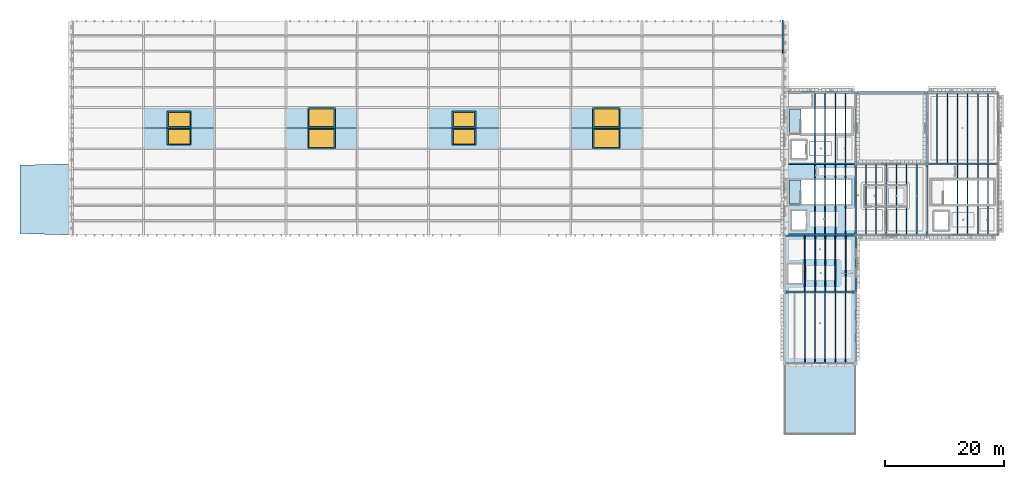
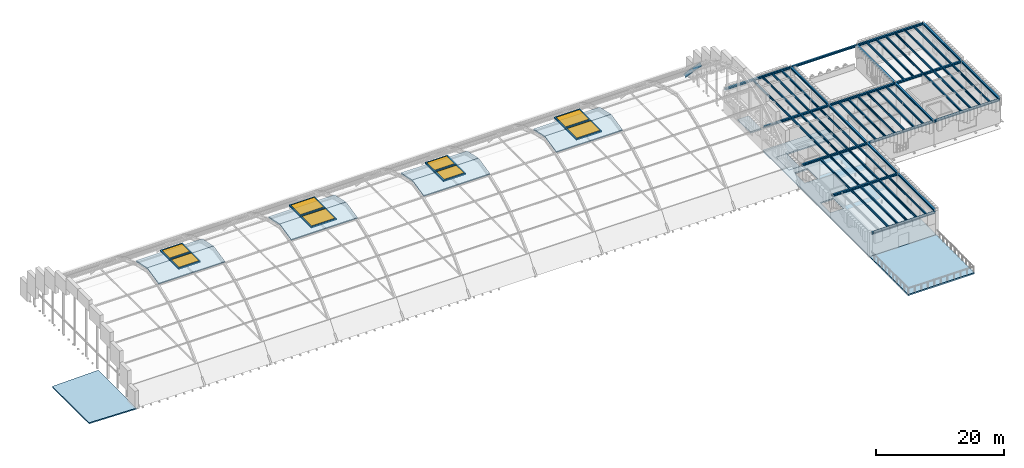
# One storey, part 8 of 35: 55 beams, 21 slabs, 8 windows, 8 openings.
"""IFC4 building model written with IfcOpenShell, lengths in metres."""

from ifc_helpers import new_model, si_unit, direction, frame, origin, origin_2d, place, context, subcontext, project, spatial, polyline, rectangle, i_section, outline, extrude, material, layer, layer_set, material_profile, profile_set, type_object, element, fill, save


model = new_model("IFC4")

# Units and contexts
model_context = context("Model", 3, precision=1e-05, world=origin(), true_north=direction((0.0, 1.0)))
body_context = subcontext(model_context, "Body", "Model", "MODEL_VIEW")
ifc_project = project(units=[si_unit("LENGTHUNIT", "METRE"), si_unit("AREAUNIT", "SQUARE_METRE"), si_unit("VOLUMEUNIT", "CUBIC_METRE"), si_unit("PLANEANGLEUNIT", "RADIAN"), si_unit("MASSUNIT", "GRAM", prefix="KILO")], contexts=[model_context])

# Site, building, storey
site_placement = place(None, origin())
site = spatial("IfcSite", under=ifc_project, at=site_placement, CompositionType="ELEMENT")
building_placement = place(site_placement, origin())
building = spatial("IfcBuilding", under=site, at=building_placement, Name="Zlatogorsky Bluff Art Gallery", CompositionType="ELEMENT")
storey_placement = place(building_placement, frame((0.0, 0.0, 23.39990234375)))
storey = spatial("IfcBuildingStorey", under=building, at=storey_placement, Name="L04", CompositionType="ELEMENT", Elevation=23.39990234375)

# Beams
ifc_material_1 = material(Name="Steel S355", Category="steel")
ifc_material_profile_1 = material_profile(ifc_material_1, i_section(OverallWidth=0.300048828125, OverallDepth=0.389892578125, WebThickness=0.010986328125, FlangeThickness=0.01904296875, FilletRadius=0.027099609375, at=origin_2d()), Name="HEA 400")
ifc_profile_set_1 = profile_set([ifc_material_profile_1], Name="Steel S355")
beam_type_1 = type_object("IfcBeamType", Name="Beam BM-09 HEA 400", PredefinedType="BEAM", material=ifc_profile_set_1)
beam_1_placement = place(storey_placement, frame((120.2548828125, 62.39990234375, 4.364990234375), z_axis=(1.0, 0.0, 0.0), x_axis=(0.0, 1.0, 0.0)))
element("IfcBeam", 1, at=beam_1_placement, inside=storey, type_object=beam_type_1, Name="Primary girder BM-09 L04 L-M/7", PredefinedType="BEAM", context=body_context, shape_type="SweptSolid", body=[
    extrude(i_section(OverallWidth=0.300048828125, OverallDepth=0.389892578125, WebThickness=0.010986328125, FlangeThickness=0.01904296875, FilletRadius=0.027099609375, at=origin_2d()), origin(), (0.0, 0.0, 1.0), 11.490234375),
])
for number, where, z_axis, x_axis, name in (
    (2, (120.014892578125, 74.39990234375, 4.364990234375), (1.0, 0.0, 0.0), (0.0, 1.0, 0.0), "Primary girder BM-09 L04 L-M/8"),
    (3, (120.014892578125, 84.0, 4.364990234375), (1.0, 0.0, 0.0), (0.0, 1.0, 0.0), "Primary girder BM-09 L04 L-M/9"),
    (4, (120.014892578125, 96.0, 4.364990234375), (1.0, 0.0, 0.0), (0.0, 1.0, 0.0), "Primary girder BM-09 L04 L-M/10"),
    (5, (120.014892578125, 108.0, 4.364990234375), (1.0, 0.0, 0.0), (0.0, 1.0, 0.0), "Primary girder BM-09 L04 L-M/11"),
    (6, (132.014892578125, 84.0, 4.364990234375), (1.0, 0.0, 0.0), (0.0, 1.0, 0.0), "Primary girder BM-09 L04 M-N/9"),
    (7, (132.014892578125, 96.0, 4.364990234375), (1.0, 0.0, 0.0), (0.0, 1.0, 0.0), "Primary girder BM-09 L04 M-N/10"),
    (8, (132.014892578125, 108.0, 4.364990234375), (1.0, 0.0, 0.0), (0.0, 1.0, 0.0), "Primary girder BM-09 L04 M-N/11"),
    (9, (144.014892578125, 84.0, 4.364990234375), (1.0, 0.0, 0.0), (0.0, 1.0, 0.0), "Primary girder BM-09 L04 N-P/9"),
    (10, (144.014892578125, 96.0, 4.364990234375), (1.0, 0.0, 0.0), (0.0, 1.0, 0.0), "Primary girder BM-09 L04 N-P/10"),
    (11, (144.014892578125, 108.0, 4.364990234375), (1.0, 0.0, 0.0), (0.0, 1.0, 0.0), "Primary girder BM-09 L04 N-P/11"),
):
    element("IfcBeam", number, at=place(storey_placement, frame(where, z_axis=z_axis, x_axis=x_axis)), inside=storey, type_object=beam_type_1, Name=name, PredefinedType="BEAM", context=body_context, shape_type="SweptSolid", body=[
        extrude(i_section(OverallWidth=0.300048828125, OverallDepth=0.389892578125, WebThickness=0.010986328125, FlangeThickness=0.01904296875, FilletRadius=0.027099609375, at=origin_2d()), origin(), (0.0, 0.0, 1.0), 11.97021484375),
    ])
beam_2_placement = place(storey_placement, frame((132.0, 62.655029296875, 4.364990234375), z_axis=(0.0, 1.0, 0.0), x_axis=(-1.0, 0.0, 0.0)))
element("IfcBeam", 12, at=beam_2_placement, inside=storey, type_object=beam_type_1, Name="Primary girder BM-09 L04 M/7-8", PredefinedType="BEAM", context=body_context, shape_type="SweptSolid", body=[
    extrude(i_section(OverallWidth=0.300048828125, OverallDepth=0.389892578125, WebThickness=0.010986328125, FlangeThickness=0.01904296875, FilletRadius=0.027099609375, at=origin_2d()), origin(), (0.0, 0.0, 1.0), 11.72998046875),
])
for number, where, z_axis, x_axis, name in (
    (13, (132.0, 84.014892578125, 4.364990234375), (0.0, 1.0, 0.0), (-1.0, 0.0, 0.0), "Primary girder BM-09 L04 M/9-10"),
    (14, (132.0, 96.014892578125, 4.364990234375), (0.0, 1.0, 0.0), (-1.0, 0.0, 0.0), "Primary girder BM-09 L04 M/10-11"),
    (15, (144.0, 84.014892578125, 4.364990234375), (0.0, 1.0, 0.0), (-1.0, 0.0, 0.0), "Primary girder BM-09 L04 N/9-10"),
    (16, (144.0, 96.014892578125, 4.364990234375), (0.0, 1.0, 0.0), (-1.0, 0.0, 0.0), "Primary girder BM-09 L04 N/10-11"),
    (17, (156.0, 84.014892578125, 4.364990234375), (0.0, 1.0, 0.0), (-1.0, 0.0, 0.0), "Primary girder BM-09 L04 P/9-10"),
    (18, (156.0, 96.014892578125, 4.364990234375), (0.0, 1.0, 0.0), (-1.0, 0.0, 0.0), "Primary girder BM-09 L04 P/10-11"),
):
    element("IfcBeam", number, at=place(storey_placement, frame(where, z_axis=z_axis, x_axis=x_axis)), inside=storey, type_object=beam_type_1, Name=name, PredefinedType="BEAM", context=body_context, shape_type="SweptSolid", body=[
        extrude(i_section(OverallWidth=0.300048828125, OverallDepth=0.389892578125, WebThickness=0.010986328125, FlangeThickness=0.01904296875, FilletRadius=0.027099609375, at=origin_2d()), origin(), (0.0, 0.0, 1.0), 11.97021484375),
    ])
ifc_material_profile_2 = material_profile(ifc_material_1, i_section(OverallWidth=0.300048828125, OverallDepth=0.35009765625, WebThickness=0.010009765625, FlangeThickness=0.017578125, FilletRadius=0.027099609375, at=origin_2d()), Name="HEA 360")
ifc_profile_set_2 = profile_set([ifc_material_profile_2], Name="Steel S355")
beam_type_2 = type_object("IfcBeamType", Name="Beam BM-10 HEA 360", PredefinedType="BEAM", material=ifc_profile_set_2)
beam_3_placement = place(storey_placement, frame((132.0, 74.4150390625, 4.385009765625), z_axis=(0.0, 1.0, 0.0), x_axis=(-1.0, 0.0, 0.0)))
element("IfcBeam", 19, at=beam_3_placement, inside=storey, type_object=beam_type_2, Name="Primary girder BM-10 L04 M/8-9", PredefinedType="BEAM", context=body_context, shape_type="SweptSolid", body=[
    extrude(i_section(OverallWidth=0.300048828125, OverallDepth=0.35009765625, WebThickness=0.010009765625, FlangeThickness=0.017578125, FilletRadius=0.027099609375, at=origin_2d()), origin(), (0.0, 0.0, 1.0), 9.570068359375),
])
ifc_material_profile_3 = material_profile(ifc_material_1, i_section(OverallWidth=0.169921875, OverallDepth=0.360107421875, WebThickness=0.008056640625, FlangeThickness=0.0126953125, FilletRadius=0.01806640625, at=origin_2d()), Name="IPE 360")
ifc_profile_set_3 = profile_set([ifc_material_profile_3], Name="Steel S355")
beam_type_3 = type_object("IfcBeamType", Name="Beam JS-04 IPE 360", PredefinedType="JOIST", material=ifc_profile_set_3)
for number, where, z_axis, x_axis, name in (
    (20, (123.428466796875, 74.550048828125, 4.380126953125), (0.0, 1.0, 0.0), (-1.0, 0.0, 0.0), "Composite floor joist JS-04 L04 10.07.2"),
    (21, (125.142822265625, 74.550048828125, 4.380126953125), (0.0, 1.0, 0.0), (-1.0, 0.0, 0.0), "Composite floor joist JS-04 L04 10.07.3"),
    (22, (126.857177734375, 74.550048828125, 4.380126953125), (0.0, 1.0, 0.0), (-1.0, 0.0, 0.0), "Composite floor joist JS-04 L04 10.07.4"),
    (23, (128.571533203125, 74.550048828125, 4.380126953125), (0.0, 1.0, 0.0), (-1.0, 0.0, 0.0), "Composite floor joist JS-04 L04 10.07.5"),
    (24, (130.28564453125, 74.550048828125, 4.380126953125), (0.0, 1.0, 0.0), (-1.0, 0.0, 0.0), "Composite floor joist JS-04 L04 10.07.6"),
):
    element("IfcBeam", number, at=place(storey_placement, frame(where, z_axis=z_axis, x_axis=x_axis)), inside=storey, type_object=beam_type_3, Name=name, PredefinedType="JOIST", context=body_context, shape_type="SweptSolid", body=[
        extrude(i_section(OverallWidth=0.169921875, OverallDepth=0.360107421875, WebThickness=0.008056640625, FlangeThickness=0.0126953125, FilletRadius=0.01806640625, at=origin_2d()), origin(), (0.0, 0.0, 1.0), 9.300048828125),
    ])
ifc_material_profile_4 = material_profile(ifc_material_1, i_section(OverallWidth=0.179931640625, OverallDepth=0.39990234375, WebThickness=0.008544921875, FlangeThickness=0.013427734375, FilletRadius=0.02099609375, at=origin_2d()), Name="IPE 400")
ifc_profile_set_4 = profile_set([ifc_material_profile_4], Name="Steel S355")
beam_type_4 = type_object("IfcBeamType", Name="Beam JS-05 IPE 400", PredefinedType="JOIST", material=ifc_profile_set_4)
for number, where, z_axis, x_axis, name in (
    (25, (123.428466796875, 62.550048828125, 4.360107421875), (0.0, 1.0, 0.0), (-1.0, 0.0, 0.0), "Composite floor joist JS-05 L04 10.06.2"),
    (26, (125.142822265625, 62.550048828125, 4.360107421875), (0.0, 1.0, 0.0), (-1.0, 0.0, 0.0), "Composite floor joist JS-05 L04 10.06.3"),
    (27, (126.857177734375, 62.550048828125, 4.360107421875), (0.0, 1.0, 0.0), (-1.0, 0.0, 0.0), "Composite floor joist JS-05 L04 10.06.4"),
    (28, (128.571533203125, 62.550048828125, 4.360107421875), (0.0, 1.0, 0.0), (-1.0, 0.0, 0.0), "Composite floor joist JS-05 L04 10.06.5"),
    (29, (130.28564453125, 62.550048828125, 4.360107421875), (0.0, 1.0, 0.0), (-1.0, 0.0, 0.0), "Composite floor joist JS-05 L04 10.06.6"),
):
    element("IfcBeam", number, at=place(storey_placement, frame(where, z_axis=z_axis, x_axis=x_axis)), inside=storey, type_object=beam_type_4, Name=name, PredefinedType="JOIST", context=body_context, shape_type="SweptSolid", body=[
        extrude(i_section(OverallWidth=0.179931640625, OverallDepth=0.39990234375, WebThickness=0.008544921875, FlangeThickness=0.013427734375, FilletRadius=0.02099609375, at=origin_2d()), origin(), (0.0, 0.0, 1.0), 11.699951171875),
    ])
for number, where, z_axis, x_axis, name in (
    (30, (125.142822265625, 84.14990234375, 4.360107421875), (0.0, 1.0, 0.0), (-1.0, 0.0, 0.0), "Composite floor joist JS-05 L04 10.08.3"),
    (31, (126.857177734375, 84.14990234375, 4.360107421875), (0.0, 1.0, 0.0), (-1.0, 0.0, 0.0), "Composite floor joist JS-05 L04 10.08.4"),
    (32, (128.571533203125, 84.14990234375, 4.360107421875), (0.0, 1.0, 0.0), (-1.0, 0.0, 0.0), "Composite floor joist JS-05 L04 10.08.5"),
    (33, (130.28564453125, 84.14990234375, 4.360107421875), (0.0, 1.0, 0.0), (-1.0, 0.0, 0.0), "Composite floor joist JS-05 L04 10.08.6"),
    (34, (125.142822265625, 96.14990234375, 4.360107421875), (0.0, 1.0, 0.0), (-1.0, 0.0, 0.0), "Composite floor joist JS-05 L04 10.09.3"),
    (35, (126.857177734375, 96.14990234375, 4.360107421875), (0.0, 1.0, 0.0), (-1.0, 0.0, 0.0), "Composite floor joist JS-05 L04 10.09.4"),
    (36, (128.571533203125, 96.14990234375, 4.360107421875), (0.0, 1.0, 0.0), (-1.0, 0.0, 0.0), "Composite floor joist JS-05 L04 10.09.5"),
    (37, (130.28564453125, 96.14990234375, 4.360107421875), (0.0, 1.0, 0.0), (-1.0, 0.0, 0.0), "Composite floor joist JS-05 L04 10.09.6"),
    (38, (133.71435546875, 84.14990234375, 4.360107421875), (0.0, 1.0, 0.0), (-1.0, 0.0, 0.0), "Composite floor joist JS-05 L04 11.08.1"),
    (39, (135.428466796875, 84.14990234375, 4.360107421875), (0.0, 1.0, 0.0), (-1.0, 0.0, 0.0), "Composite floor joist JS-05 L04 11.08.2"),
    (40, (137.142822265625, 84.14990234375, 4.360107421875), (0.0, 1.0, 0.0), (-1.0, 0.0, 0.0), "Composite floor joist JS-05 L04 11.08.3"),
    (41, (138.857177734375, 84.14990234375, 4.360107421875), (0.0, 1.0, 0.0), (-1.0, 0.0, 0.0), "Composite floor joist JS-05 L04 11.08.4"),
    (42, (140.571533203125, 84.14990234375, 4.360107421875), (0.0, 1.0, 0.0), (-1.0, 0.0, 0.0), "Composite floor joist JS-05 L04 11.08.5"),
    (43, (142.28564453125, 84.14990234375, 4.360107421875), (0.0, 1.0, 0.0), (-1.0, 0.0, 0.0), "Composite floor joist JS-05 L04 11.08.6"),
    (44, (149.142822265625, 84.14990234375, 4.360107421875), (0.0, 1.0, 0.0), (-1.0, 0.0, 0.0), "Composite floor joist JS-05 L04 12.08.3"),
    (45, (150.857177734375, 84.14990234375, 4.360107421875), (0.0, 1.0, 0.0), (-1.0, 0.0, 0.0), "Composite floor joist JS-05 L04 12.08.4"),
    (46, (152.571533203125, 84.14990234375, 4.360107421875), (0.0, 1.0, 0.0), (-1.0, 0.0, 0.0), "Composite floor joist JS-05 L04 12.08.5"),
    (47, (154.28564453125, 84.14990234375, 4.360107421875), (0.0, 1.0, 0.0), (-1.0, 0.0, 0.0), "Composite floor joist JS-05 L04 12.08.6"),
    (48, (145.71435546875, 96.14990234375, 4.360107421875), (0.0, 1.0, 0.0), (-1.0, 0.0, 0.0), "Composite floor joist JS-05 L04 12.09.1"),
    (49, (147.428466796875, 96.14990234375, 4.360107421875), (0.0, 1.0, 0.0), (-1.0, 0.0, 0.0), "Composite floor joist JS-05 L04 12.09.2"),
    (50, (149.142822265625, 96.14990234375, 4.360107421875), (0.0, 1.0, 0.0), (-1.0, 0.0, 0.0), "Composite floor joist JS-05 L04 12.09.3"),
    (51, (150.857177734375, 96.14990234375, 4.360107421875), (0.0, 1.0, 0.0), (-1.0, 0.0, 0.0), "Composite floor joist JS-05 L04 12.09.4"),
    (52, (152.571533203125, 96.14990234375, 4.360107421875), (0.0, 1.0, 0.0), (-1.0, 0.0, 0.0), "Composite floor joist JS-05 L04 12.09.5"),
    (53, (154.28564453125, 96.14990234375, 4.360107421875), (0.0, 1.0, 0.0), (-1.0, 0.0, 0.0), "Composite floor joist JS-05 L04 12.09.6"),
):
    element("IfcBeam", number, at=place(storey_placement, frame(where, z_axis=z_axis, x_axis=x_axis)), inside=storey, type_object=beam_type_4, Name=name, PredefinedType="JOIST", context=body_context, shape_type="SweptSolid", body=[
        extrude(i_section(OverallWidth=0.179931640625, OverallDepth=0.39990234375, WebThickness=0.008544921875, FlangeThickness=0.013427734375, FilletRadius=0.02099609375, at=origin_2d()), origin(), (0.0, 0.0, 1.0), 11.7001953125),
    ])
ifc_material_profile_5 = material_profile(ifc_material_1, i_section(OverallWidth=0.300048828125, OverallDepth=0.64990234375, WebThickness=0.01611328125, FlangeThickness=0.031005859375, FilletRadius=0.027099609375, at=origin_2d()), Name="HEB 650")
ifc_profile_set_5 = profile_set([ifc_material_profile_5], Name="Steel S355")
beam_type_5 = type_object("IfcBeamType", Name="Beam VR-01 HEB 650", PredefinedType="BEAM", material=ifc_profile_set_5)
beam_4_placement = place(storey_placement, frame((119.699951171875, 114.83056640625, 5.119140625), z_axis=(0.0, 0.707615576313, -0.706597619696), x_axis=(-1.0, 0.0, 0.0)))
element("IfcBeam", 54, at=beam_4_placement, inside=storey, type_object=beam_type_5, Name="Barrel vault pointed arch rib VR-01 L.11", PredefinedType="BEAM", context=body_context, shape_type="SweptSolid", body=[
    extrude(i_section(OverallWidth=0.300048828125, OverallDepth=0.64990234375, WebThickness=0.01611328125, FlangeThickness=0.031005859375, FilletRadius=0.027099609375, at=origin_2d()), origin(), (0.0, 0.0, 1.0), 3.597412109375),
])
beam_5_placement = place(storey_placement, frame((119.699951171875, 117.376220703125, 2.5771484375), z_axis=(0.0, 0.677448622917, -0.735570094082), x_axis=(-1.0, 0.0, 0.0)))
element("IfcBeam", 55, at=beam_5_placement, inside=storey, type_object=beam_type_5, Name="Barrel vault pointed arch rib VR-01 L.12", PredefinedType="BEAM", context=body_context, shape_type="SweptSolid", body=[
    extrude(i_section(OverallWidth=0.300048828125, OverallDepth=0.64990234375, WebThickness=0.01611328125, FlangeThickness=0.031005859375, FilletRadius=0.027099609375, at=origin_2d()), origin(), (0.0, 0.0, 1.0), 3.843505859375),
])

# Slabs
ifc_material_2 = material(Name="Concrete C30/37", Category="concrete")
ifc_layer_1 = layer(ifc_material_2, 0.219970703125)
ifc_layer_set_1 = layer_set([ifc_layer_1], Name="Slab RF-FL1 220mm")
slab_type_1 = type_object("IfcSlabType", Name="Slab RF-FL1 220mm", PredefinedType="ROOF", material=ifc_layer_set_1)
slab_1_placement = place(storey_placement, frame((0.0, 0.0, -0.219970703125)))
element("IfcSlab", 56, at=slab_1_placement, inside=storey, type_object=slab_type_1, Name="Lookout lounge roof slab", PredefinedType="ROOF", context=body_context, shape_type="SweptSolid", body=[
    extrude(outline(polyline([(-8.800048828125, 84.239990234375), (-0.35009765625, 84.0), (-0.35009765625, 96.0), (-8.800048828125, 95.760009765625), (-8.800048828125, 84.239990234375)])), origin(), (0.0, 0.0, 1.0), 0.219970703125),
])
ifc_layer_2 = layer(ifc_material_2, 0.25)
ifc_layer_set_2 = layer_set([ifc_layer_2], Name="Slab SL-04 250mm")
slab_type_2 = type_object("IfcSlabType", Name="Slab SL-04 250mm", PredefinedType="FLOOR", material=ifc_layer_set_2)
slab_2_placement = place(storey_placement, frame((0.0, 0.0, -0.25)))
element("IfcSlab", 57, at=slab_2_placement, inside=storey, type_object=slab_type_2, Name="L04 structural floor slab panel 01", PredefinedType="FLOOR", context=body_context, shape_type="SweptSolid", body=[
    extrude(outline(polyline([(120.0, 62.39990234375), (120.0, 74.39990234375), (120.0, 84.0), (120.0, 96.0), (132.0, 96.0), (132.0, 84.0), (132.0, 74.39990234375), (132.0, 62.39990234375), (120.0, 62.39990234375)]), holes=[polyline([(120.6201171875, 75.85009765625), (123.02001953125, 75.85009765625), (123.02001953125, 79.050048828125), (120.6201171875, 79.050048828125), (120.6201171875, 75.85009765625)]), polyline([(121.199951171875, 88.10009765625), (121.199951171875, 84.89990234375), (123.60009765625, 84.89990234375), (123.60009765625, 88.10009765625), (121.199951171875, 88.10009765625)]), polyline([(131.199951171875, 93.25), (120.800048828125, 93.25), (120.800048828125, 89.199951171875), (131.199951171875, 89.199951171875), (131.199951171875, 93.25)])]), origin(), (0.0, 0.0, 1.0), 0.25),
])
slab_3_placement = place(storey_placement, frame((0.0, 0.0, -0.25)))
element("IfcSlab", 58, at=slab_3_placement, inside=storey, type_object=slab_type_2, Name="L04 stair ST-02 structural floor landing slab", PredefinedType="FLOOR", context=body_context, shape_type="SweptSolid", body=[
    extrude(outline(polyline([(120.800048828125, 89.199951171875), (122.75, 89.199951171875), (122.75, 93.25), (120.800048828125, 93.25), (120.800048828125, 89.199951171875)])), origin(), (0.0, 0.0, 1.0), 0.25),
])
slab_4_placement = place(storey_placement, frame((0.0, 0.0, -0.25)))
element("IfcSlab", 59, at=slab_4_placement, inside=storey, type_object=slab_type_2, Name="L04 stair ST-03 structural floor landing slab", PredefinedType="FLOOR", context=body_context, shape_type="SweptSolid", body=[
    extrude(outline(polyline([(120.800048828125, 101.199951171875), (122.75, 101.199951171875), (122.75, 105.25), (120.800048828125, 105.25), (120.800048828125, 101.199951171875)])), origin(), (0.0, 0.0, 1.0), 0.25),
])
ifc_material_3 = material(Name="Concrete C35/45", Category="concrete")
ifc_layer_3 = layer(ifc_material_3, 0.27001953125)
ifc_layer_set_3 = layer_set([ifc_layer_3], Name="Slab SL-TR3 270mm")
slab_type_3 = type_object("IfcSlabType", Name="Slab SL-TR3 270mm", PredefinedType="FLOOR", material=ifc_layer_set_3)
slab_5_placement = place(storey_placement, frame((0.0, 0.0, -0.27001953125)))
element("IfcSlab", 60, at=slab_5_placement, inside=storey, type_object=slab_type_3, Name="L04 outdoor sculpture terrace slab 1", PredefinedType="FLOOR", context=body_context, shape_type="SweptSolid", body=[
    extrude(outline(polyline([(132.0, 50.39990234375), (132.0, 62.39990234375), (120.0, 62.39990234375), (120.0, 50.39990234375), (132.0, 50.39990234375)])), origin(), (0.0, 0.0, 1.0), 0.27001953125),
])
ifc_layer_4 = layer(ifc_material_3, 0.235107421875)
ifc_layer_set_4 = layer_set([ifc_layer_4], Name="Vault Crown Maintenance Apron VCA-01")
slab_type_4 = type_object("IfcSlabType", Name="Vault Crown Maintenance Apron VCA-01", PredefinedType="USERDEFINED", material=ifc_layer_set_4)
for number, where, z_axis, x_axis, name in (
    (61, (12.0, 98.412109375, 10.826416015625), (0.0, -0.21700782178, 0.976169864976), (1.0, 0.0, 0.0), "Barrel vault crown slab bay 2.6"),
    (62, (12.0, 102.0, 11.6240234375), (0.0, 0.21700782178, 0.976169864976), (1.0, 0.0, 0.0), "Barrel vault crown slab bay 2.7"),
    (63, (36.0, 98.412109375, 10.826416015625), (0.0, -0.21700782178, 0.976169864976), (1.0, 0.0, 0.0), "Barrel vault crown slab bay 4.6"),
    (64, (36.0, 102.0, 11.6240234375), (0.0, 0.21700782178, 0.976169864976), (1.0, 0.0, 0.0), "Barrel vault crown slab bay 4.7"),
    (65, (60.0, 98.412109375, 10.826416015625), (0.0, -0.21700782178, 0.976169864976), (1.0, 0.0, 0.0), "Barrel vault crown slab bay 6.6"),
    (66, (60.0, 102.0, 11.6240234375), (0.0, 0.21700782178, 0.976169864976), (1.0, 0.0, 0.0), "Barrel vault crown slab bay 6.7"),
    (67, (84.0, 98.412109375, 10.826416015625), (0.0, -0.21700782178, 0.976169864976), (1.0, 0.0, 0.0), "Barrel vault crown slab bay 8.6"),
    (68, (84.0, 102.0, 11.6240234375), (0.0, 0.21700782178, 0.976169864976), (1.0, 0.0, 0.0), "Barrel vault crown slab bay 8.7"),
):
    element("IfcSlab", number, at=place(storey_placement, frame(where, z_axis=z_axis, x_axis=x_axis)), inside=storey, type_object=slab_type_4, Name=name, ObjectType="VAULT APRON", PredefinedType="USERDEFINED", context=body_context, shape_type="SweptSolid", body=[
        extrude(outline(polyline([(0.0, 0.0), (12.0, 0.0), (12.0, 3.675477756209793), (0.0, 3.675477756209793), (0.0, 0.0)])), origin(), (0.0, 0.0, -1.0), 0.235107421875),
    ])

# Slab, opening, window
ifc_layer_5 = layer(ifc_material_3, 0.199951171875)
ifc_layer_set_5 = layer_set([ifc_layer_5], Name="Vault Skylight Upstand Kerb SKB-01")
slab_type_5 = type_object("IfcSlabType", Name="Vault Skylight Upstand Kerb SKB-01", PredefinedType="USERDEFINED", material=ifc_layer_set_5)
slab_6_placement = place(storey_placement, frame((0.0, 0.0, 11.60400390625)))
slab_6 = element("IfcSlab", 69, at=slab_6_placement, inside=storey, type_object=slab_type_5, Name="Vault skylight kerb 2.6", ObjectType="SKYLIGHT KERB", PredefinedType="USERDEFINED", context=body_context, shape_type="SweptSolid", body=[
    extrude(outline(polyline([(15.97998046875, 99.1201171875), (20.02001953125, 99.1201171875), (20.02001953125, 101.9599609375), (15.97998046875, 101.9599609375), (15.97998046875, 99.1201171875)])), origin(), (0.0, 0.0, 1.0), 0.280029296875),
])
opening_1_placement = place(slab_6_placement, frame((18.0, 100.5400390625, 0.0)))
opening_1 = element("IfcOpeningElement", 70, at=opening_1_placement, cuts=slab_6, Name="Opening SK-01", PredefinedType="OPENING", context=body_context, shape_type="SweptSolid", body=[
    extrude(rectangle(XDim=3.60009765625, YDim=2.39990234375, at=origin_2d()), origin(), (0.0, 0.0, 1.0), 0.280029296875),
])
ifc_material_4 = material(Name="Diffusing UV-Filtered Laminated Skylight Glazing", Category="glass")
window_type_1 = type_object("IfcWindowType", Name="Vault Roof Skylight SK-01 2400x3600", PartitioningType="SINGLE_PANEL", PredefinedType="SKYLIGHT", material=ifc_material_4)
window_1_placement = place(opening_1_placement, frame((0.0, 0.0, 0.22998046875)))
window_1 = element("IfcWindow", 71, at=window_1_placement, inside=storey, type_object=window_type_1, Name="Barrel vault top-lit gallery skylight SK-01 2.6", OverallHeight=2.39990234375, OverallWidth=3.60009765625, PartitioningType="SINGLE_PANEL", PredefinedType="SKYLIGHT", context=body_context, shape_type="SweptSolid", body=[
    extrude(rectangle(XDim=3.60009765625, YDim=2.39990234375, at=origin_2d()), origin(), (0.0, 0.0, 1.0), 0.050048828125),
])
fill(opening_1, window_1)

slab_7_placement = place(storey_placement, frame((0.0, 0.0, 11.60400390625)))
slab_7 = element("IfcSlab", 72, at=slab_7_placement, inside=storey, type_object=slab_type_5, Name="Vault skylight kerb 2.7", ObjectType="SKYLIGHT KERB", PredefinedType="USERDEFINED", context=body_context, shape_type="SweptSolid", body=[
    extrude(outline(polyline([(15.97998046875, 102.0400390625), (20.02001953125, 102.0400390625), (20.02001953125, 104.8798828125), (15.97998046875, 104.8798828125), (15.97998046875, 102.0400390625)])), origin(), (0.0, 0.0, 1.0), 0.280029296875),
])
opening_2_placement = place(slab_7_placement, frame((18.0, 103.4599609375, 0.0)))
opening_2 = element("IfcOpeningElement", 73, at=opening_2_placement, cuts=slab_7, Name="Opening SK-01", PredefinedType="OPENING", context=body_context, shape_type="SweptSolid", body=[
    extrude(rectangle(XDim=3.60009765625, YDim=2.39990234375, at=origin_2d()), origin(), (0.0, 0.0, 1.0), 0.280029296875),
])
window_2_placement = place(opening_2_placement, frame((0.0, 0.0, 0.22998046875)))
window_2 = element("IfcWindow", 74, at=window_2_placement, inside=storey, type_object=window_type_1, Name="Barrel vault top-lit gallery skylight SK-01 2.7", OverallHeight=2.39990234375, OverallWidth=3.60009765625, PartitioningType="SINGLE_PANEL", PredefinedType="SKYLIGHT", context=body_context, shape_type="SweptSolid", body=[
    extrude(rectangle(XDim=3.60009765625, YDim=2.39990234375, at=origin_2d()), origin(), (0.0, 0.0, 1.0), 0.050048828125),
])
fill(opening_2, window_2)

slab_8_placement = place(storey_placement, frame((0.0, 0.0, 11.60400390625)))
slab_8 = element("IfcSlab", 75, at=slab_8_placement, inside=storey, type_object=slab_type_5, Name="Vault skylight kerb 4.6", ObjectType="SKYLIGHT KERB", PredefinedType="USERDEFINED", context=body_context, shape_type="SweptSolid", body=[
    extrude(outline(polyline([(39.679931640625, 98.52001953125), (44.320068359375, 98.52001953125), (44.320068359375, 101.9599609375), (39.679931640625, 101.9599609375), (39.679931640625, 98.52001953125)])), origin(), (0.0, 0.0, 1.0), 0.280029296875),
])
opening_3_placement = place(slab_8_placement, frame((42.0, 100.239990234375, 0.0)))
opening_3 = element("IfcOpeningElement", 76, at=opening_3_placement, cuts=slab_8, Name="Opening SK-02", PredefinedType="OPENING", context=body_context, shape_type="SweptSolid", body=[
    extrude(rectangle(XDim=4.199951171875, YDim=3.0, at=origin_2d()), origin(), (0.0, 0.0, 1.0), 0.280029296875),
])
window_type_2 = type_object("IfcWindowType", Name="Vault Roof Skylight SK-02 3000x4200", PartitioningType="SINGLE_PANEL", PredefinedType="SKYLIGHT", material=ifc_material_4)
window_3_placement = place(opening_3_placement, frame((0.0, 0.0, 0.22998046875)))
window_3 = element("IfcWindow", 77, at=window_3_placement, inside=storey, type_object=window_type_2, Name="Barrel vault top-lit gallery skylight SK-02 4.6", OverallHeight=3.0, OverallWidth=4.199951171875, PartitioningType="SINGLE_PANEL", PredefinedType="SKYLIGHT", context=body_context, shape_type="SweptSolid", body=[
    extrude(rectangle(XDim=4.199951171875, YDim=3.0, at=origin_2d()), origin(), (0.0, 0.0, 1.0), 0.050048828125),
])
fill(opening_3, window_3)

slab_9_placement = place(storey_placement, frame((0.0, 0.0, 11.60400390625)))
slab_9 = element("IfcSlab", 78, at=slab_9_placement, inside=storey, type_object=slab_type_5, Name="Vault skylight kerb 4.7", ObjectType="SKYLIGHT KERB", PredefinedType="USERDEFINED", context=body_context, shape_type="SweptSolid", body=[
    extrude(outline(polyline([(39.679931640625, 102.0400390625), (44.320068359375, 102.0400390625), (44.320068359375, 105.47998046875), (39.679931640625, 105.47998046875), (39.679931640625, 102.0400390625)])), origin(), (0.0, 0.0, 1.0), 0.280029296875),
])
opening_4_placement = place(slab_9_placement, frame((42.0, 103.760009765625, 0.0)))
opening_4 = element("IfcOpeningElement", 79, at=opening_4_placement, cuts=slab_9, Name="Opening SK-02", PredefinedType="OPENING", context=body_context, shape_type="SweptSolid", body=[
    extrude(rectangle(XDim=4.199951171875, YDim=3.0, at=origin_2d()), origin(), (0.0, 0.0, 1.0), 0.280029296875),
])
window_4_placement = place(opening_4_placement, frame((0.0, 0.0, 0.22998046875)))
window_4 = element("IfcWindow", 80, at=window_4_placement, inside=storey, type_object=window_type_2, Name="Barrel vault top-lit gallery skylight SK-02 4.7", OverallHeight=3.0, OverallWidth=4.199951171875, PartitioningType="SINGLE_PANEL", PredefinedType="SKYLIGHT", context=body_context, shape_type="SweptSolid", body=[
    extrude(rectangle(XDim=4.199951171875, YDim=3.0, at=origin_2d()), origin(), (0.0, 0.0, 1.0), 0.050048828125),
])
fill(opening_4, window_4)

slab_10_placement = place(storey_placement, frame((0.0, 0.0, 11.60400390625)))
slab_10 = element("IfcSlab", 81, at=slab_10_placement, inside=storey, type_object=slab_type_5, Name="Vault skylight kerb 6.6", ObjectType="SKYLIGHT KERB", PredefinedType="USERDEFINED", context=body_context, shape_type="SweptSolid", body=[
    extrude(outline(polyline([(63.97998046875, 99.1201171875), (68.02001953125, 99.1201171875), (68.02001953125, 101.9599609375), (63.97998046875, 101.9599609375), (63.97998046875, 99.1201171875)])), origin(), (0.0, 0.0, 1.0), 0.280029296875),
])
opening_5_placement = place(slab_10_placement, frame((66.0, 100.5400390625, 0.0)))
opening_5 = element("IfcOpeningElement", 82, at=opening_5_placement, cuts=slab_10, Name="Opening SK-01", PredefinedType="OPENING", context=body_context, shape_type="SweptSolid", body=[
    extrude(rectangle(XDim=3.60009765625, YDim=2.39990234375, at=origin_2d()), origin(), (0.0, 0.0, 1.0), 0.280029296875),
])
window_5_placement = place(opening_5_placement, frame((0.0, 0.0, 0.22998046875)))
window_5 = element("IfcWindow", 83, at=window_5_placement, inside=storey, type_object=window_type_1, Name="Barrel vault top-lit gallery skylight SK-01 6.6", OverallHeight=2.39990234375, OverallWidth=3.60009765625, PartitioningType="SINGLE_PANEL", PredefinedType="SKYLIGHT", context=body_context, shape_type="SweptSolid", body=[
    extrude(rectangle(XDim=3.60009765625, YDim=2.39990234375, at=origin_2d()), origin(), (0.0, 0.0, 1.0), 0.050048828125),
])
fill(opening_5, window_5)

slab_11_placement = place(storey_placement, frame((0.0, 0.0, 11.60400390625)))
slab_11 = element("IfcSlab", 84, at=slab_11_placement, inside=storey, type_object=slab_type_5, Name="Vault skylight kerb 6.7", ObjectType="SKYLIGHT KERB", PredefinedType="USERDEFINED", context=body_context, shape_type="SweptSolid", body=[
    extrude(outline(polyline([(63.97998046875, 102.0400390625), (68.02001953125, 102.0400390625), (68.02001953125, 104.8798828125), (63.97998046875, 104.8798828125), (63.97998046875, 102.0400390625)])), origin(), (0.0, 0.0, 1.0), 0.280029296875),
])
opening_6_placement = place(slab_11_placement, frame((66.0, 103.4599609375, 0.0)))
opening_6 = element("IfcOpeningElement", 85, at=opening_6_placement, cuts=slab_11, Name="Opening SK-01", PredefinedType="OPENING", context=body_context, shape_type="SweptSolid", body=[
    extrude(rectangle(XDim=3.60009765625, YDim=2.39990234375, at=origin_2d()), origin(), (0.0, 0.0, 1.0), 0.280029296875),
])
window_6_placement = place(opening_6_placement, frame((0.0, 0.0, 0.22998046875)))
window_6 = element("IfcWindow", 86, at=window_6_placement, inside=storey, type_object=window_type_1, Name="Barrel vault top-lit gallery skylight SK-01 6.7", OverallHeight=2.39990234375, OverallWidth=3.60009765625, PartitioningType="SINGLE_PANEL", PredefinedType="SKYLIGHT", context=body_context, shape_type="SweptSolid", body=[
    extrude(rectangle(XDim=3.60009765625, YDim=2.39990234375, at=origin_2d()), origin(), (0.0, 0.0, 1.0), 0.050048828125),
])
fill(opening_6, window_6)

slab_12_placement = place(storey_placement, frame((0.0, 0.0, 11.60400390625)))
slab_12 = element("IfcSlab", 87, at=slab_12_placement, inside=storey, type_object=slab_type_5, Name="Vault skylight kerb 8.6", ObjectType="SKYLIGHT KERB", PredefinedType="USERDEFINED", context=body_context, shape_type="SweptSolid", body=[
    extrude(outline(polyline([(87.679931640625, 98.52001953125), (92.320068359375, 98.52001953125), (92.320068359375, 101.9599609375), (87.679931640625, 101.9599609375), (87.679931640625, 98.52001953125)])), origin(), (0.0, 0.0, 1.0), 0.280029296875),
])
opening_7_placement = place(slab_12_placement, frame((90.0, 100.239990234375, 0.0)))
opening_7 = element("IfcOpeningElement", 88, at=opening_7_placement, cuts=slab_12, Name="Opening SK-02", PredefinedType="OPENING", context=body_context, shape_type="SweptSolid", body=[
    extrude(rectangle(XDim=4.199951171875, YDim=3.0, at=origin_2d()), origin(), (0.0, 0.0, 1.0), 0.280029296875),
])
window_7_placement = place(opening_7_placement, frame((0.0, 0.0, 0.22998046875)))
window_7 = element("IfcWindow", 89, at=window_7_placement, inside=storey, type_object=window_type_2, Name="Barrel vault top-lit gallery skylight SK-02 8.6", OverallHeight=3.0, OverallWidth=4.199951171875, PartitioningType="SINGLE_PANEL", PredefinedType="SKYLIGHT", context=body_context, shape_type="SweptSolid", body=[
    extrude(rectangle(XDim=4.199951171875, YDim=3.0, at=origin_2d()), origin(), (0.0, 0.0, 1.0), 0.050048828125),
])
fill(opening_7, window_7)

slab_13_placement = place(storey_placement, frame((0.0, 0.0, 11.60400390625)))
slab_13 = element("IfcSlab", 90, at=slab_13_placement, inside=storey, type_object=slab_type_5, Name="Vault skylight kerb 8.7", ObjectType="SKYLIGHT KERB", PredefinedType="USERDEFINED", context=body_context, shape_type="SweptSolid", body=[
    extrude(outline(polyline([(87.679931640625, 102.0400390625), (92.320068359375, 102.0400390625), (92.320068359375, 105.47998046875), (87.679931640625, 105.47998046875), (87.679931640625, 102.0400390625)])), origin(), (0.0, 0.0, 1.0), 0.280029296875),
])
opening_8_placement = place(slab_13_placement, frame((90.0, 103.760009765625, 0.0)))
opening_8 = element("IfcOpeningElement", 91, at=opening_8_placement, cuts=slab_13, Name="Opening SK-02", PredefinedType="OPENING", context=body_context, shape_type="SweptSolid", body=[
    extrude(rectangle(XDim=4.199951171875, YDim=3.0, at=origin_2d()), origin(), (0.0, 0.0, 1.0), 0.280029296875),
])
window_8_placement = place(opening_8_placement, frame((0.0, 0.0, 0.22998046875)))
window_8 = element("IfcWindow", 92, at=window_8_placement, inside=storey, type_object=window_type_2, Name="Barrel vault top-lit gallery skylight SK-02 8.7", OverallHeight=3.0, OverallWidth=4.199951171875, PartitioningType="SINGLE_PANEL", PredefinedType="SKYLIGHT", context=body_context, shape_type="SweptSolid", body=[
    extrude(rectangle(XDim=4.199951171875, YDim=3.0, at=origin_2d()), origin(), (0.0, 0.0, 1.0), 0.050048828125),
])
fill(opening_8, window_8)

save(model, "model.ifc")
